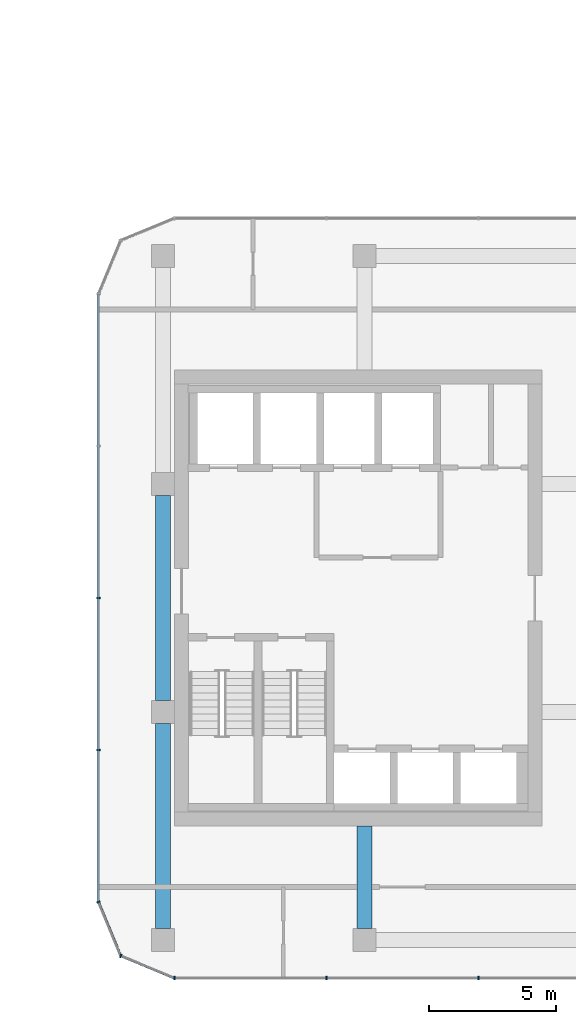
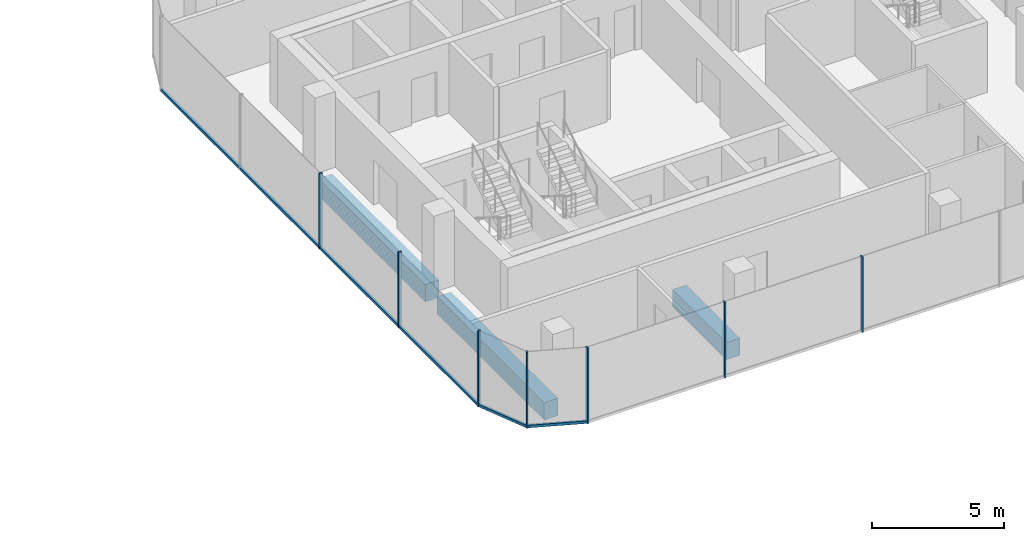
# One storey, part 7 of 23: 10 members, 3 beams, 4 elements without a shape of their own.
"""IFC4 building model written with IfcOpenShell, lengths in metres."""

from ifc_helpers import new_model, si_unit, direction, frame, origin, origin_2d, place, context, subcontext, project, spatial, rectangle, extrude, material, layer, layer_set, material_profile, profile_set, type_object, element, aggregate, save


model = new_model("IFC4")

# Units and contexts
model_context = context("Model", 3, precision=1e-05, world=origin(), true_north=direction((0.0, 1.0)))
body_context = subcontext(model_context, "Body", "Model", "MODEL_VIEW")
ifc_project = project(units=[si_unit("LENGTHUNIT", "METRE"), si_unit("AREAUNIT", "SQUARE_METRE"), si_unit("VOLUMEUNIT", "CUBIC_METRE"), si_unit("PLANEANGLEUNIT", "RADIAN"), si_unit("MASSUNIT", "GRAM", prefix="KILO")], contexts=[model_context])

# Site, building, storey
site_placement = place(None, origin())
site = spatial("IfcSite", under=ifc_project, at=site_placement, CompositionType="ELEMENT")
building_placement = place(site_placement, origin())
building = spatial("IfcBuilding", under=site, at=building_placement, Name="Plateau Cross Towers", CompositionType="ELEMENT")
storey_placement = place(building_placement, frame((0.0, 0.0, 33.800048828125)))
storey = spatial("IfcBuildingStorey", under=building, at=storey_placement, Name="L07", CompositionType="ELEMENT", Elevation=33.800048828125)

# Beam
ifc_material_1 = material(Name="Concrete C60/75", Category="concrete")
ifc_material_profile_1 = material_profile(ifc_material_1, rectangle(XDim=0.60009765625, YDim=0.800048828125, at=origin_2d()), Name="RC 600x800")
ifc_profile_set_1 = profile_set([ifc_material_profile_1], Name="Concrete C60/75")
beam_type_1 = type_object("IfcBeamType", Name="Core beam RC 600x800", PredefinedType="BEAM", material=ifc_profile_set_1)
beam_placement = place(storey_placement, frame((82.5, 0.0, -0.650146484375), z_axis=(0.0, -1.0, 0.0), x_axis=(1.0, 0.0, 0.0)))
element("IfcBeam", 1, at=beam_placement, inside=storey, type_object=beam_type_1, Name="B-CB01@L07", PredefinedType="BEAM", context=body_context, shape_type="SweptSolid", body=[
    extrude(rectangle(XDim=0.60009765625, YDim=0.800048828125, at=origin_2d()), origin(), (0.0, 0.0, 1.0), 4.050048828125),
])

# Curtain wall, members
ifc_material_2 = material(Name="Dark low-iron glass", Category="glass")
ifc_layer = layer(ifc_material_2, 0.239990234375)
ifc_layer_set = layer_set([ifc_layer], Name="Dark low-iron glass")
curtain_wall_type = type_object("IfcCurtainWallType", Name="Curtain wall office unitised CW-F", PredefinedType="NOTDEFINED", material=ifc_layer_set)
curtain_wall_1_placement = place(storey_placement, origin())
curtain_wall_1 = element("IfcCurtainWall", 2, at=curtain_wall_1_placement, inside=storey, type_object=curtain_wall_type, Name="ENV/B/L07/B750_-60", PredefinedType="NOTDEFINED")
ifc_material_3 = material(Name="Black anodised aluminium", Category="aluminium")
ifc_material_profile_2 = material_profile(ifc_material_3, rectangle(XDim=0.06005859375, YDim=0.139892578125, at=origin_2d()), Name="MULLION 60x140")
ifc_profile_set_2 = profile_set([ifc_material_profile_2], Name="Black anodised aluminium")
member_type_1 = type_object("IfcMemberType", Name="Mullion 60x140 office unitised", PredefinedType="MULLION", material=ifc_profile_set_2)
member_1_placement = place(storey_placement, frame((75.0, -6.0, -0.25), z_axis=(0.0, 0.0, 1.0), x_axis=(1.0, 0.0, 0.0)))
member_1 = element("IfcMember", 3, at=member_1_placement, type_object=member_type_1, Name="CW-F mullion 1", PredefinedType="MULLION", context=body_context, shape_type="SweptSolid", body=[
    extrude(rectangle(XDim=0.06005859375, YDim=0.139892578125, at=origin_2d()), origin(), (0.0, 0.0, 1.0), 3.5),
])
member_2_placement = place(storey_placement, frame((81.0, -6.0, -0.25), z_axis=(0.0, 0.0, 1.0), x_axis=(1.0, 0.0, 0.0)))
member_2 = element("IfcMember", 4, at=member_2_placement, type_object=member_type_1, Name="CW-F mullion 2", PredefinedType="MULLION", context=body_context, shape_type="SweptSolid", body=[
    extrude(rectangle(XDim=0.06005859375, YDim=0.139892578125, at=origin_2d()), origin(), (0.0, 0.0, 1.0), 3.5),
])
member_3_placement = place(storey_placement, frame((87.0, -6.0, -0.25), z_axis=(0.0, 0.0, 1.0), x_axis=(1.0, 0.0, 0.0)))
member_3 = element("IfcMember", 5, at=member_3_placement, type_object=member_type_1, Name="CW-F mullion 3", PredefinedType="MULLION", context=body_context, shape_type="SweptSolid", body=[
    extrude(rectangle(XDim=0.06005859375, YDim=0.139892578125, at=origin_2d()), origin(), (0.0, 0.0, 1.0), 3.5),
])
aggregate(curtain_wall_1, [member_1, member_2, member_3])

curtain_wall_2_placement = place(storey_placement, origin())
curtain_wall_2 = element("IfcCurtainWall", 6, at=curtain_wall_2_placement, inside=storey, type_object=curtain_wall_type, Name="ENV/B/L07/B720_210", PredefinedType="NOTDEFINED")
member_4_placement = place(storey_placement, frame((72.0, 9.0, -0.25), z_axis=(0.0, 0.0, 1.0), x_axis=(0.0, -1.0, 0.0)))
member_4 = element("IfcMember", 7, at=member_4_placement, type_object=member_type_1, Name="CW-F mullion 3", PredefinedType="MULLION", context=body_context, shape_type="SweptSolid", body=[
    extrude(rectangle(XDim=0.06005859375, YDim=0.139892578125, at=origin_2d()), origin(), (0.0, 0.0, 1.0), 3.5),
])
member_5_placement = place(storey_placement, frame((72.0, 3.0, -0.25), z_axis=(0.0, 0.0, 1.0), x_axis=(0.0, -1.0, 0.0)))
member_5 = element("IfcMember", 8, at=member_5_placement, type_object=member_type_1, Name="CW-F mullion 4", PredefinedType="MULLION", context=body_context, shape_type="SweptSolid", body=[
    extrude(rectangle(XDim=0.06005859375, YDim=0.139892578125, at=origin_2d()), origin(), (0.0, 0.0, 1.0), 3.5),
])

# Curtain wall, member
curtain_wall_3_placement = place(storey_placement, origin())
curtain_wall_3 = element("IfcCurtainWall", 9, at=curtain_wall_3_placement, inside=storey, type_object=curtain_wall_type, Name="ENV/B/L07/B720_-30", PredefinedType="NOTDEFINED")
member_6_placement = place(storey_placement, frame((72.0, -3.0, -0.25), z_axis=(0.0, 0.0, 1.0), x_axis=(0.382683612978, -0.923879457699, 0.0)))
member_6 = element("IfcMember", 10, at=member_6_placement, type_object=member_type_1, Name="CW-F mullion 1", PredefinedType="MULLION", context=body_context, shape_type="SweptSolid", body=[
    extrude(rectangle(XDim=0.06005859375, YDim=0.139892578125, at=origin_2d()), origin(), (0.0, 0.0, 1.0), 3.5),
])

curtain_wall_4_placement = place(storey_placement, origin())
curtain_wall_4 = element("IfcCurtainWall", 11, at=curtain_wall_4_placement, inside=storey, type_object=curtain_wall_type, Name="ENV/B/L07/B729_-51", PredefinedType="NOTDEFINED")
member_7_placement = place(storey_placement, frame((72.878662109375, -5.121337890625, -0.25), z_axis=(0.0, 0.0, 1.0), x_axis=(0.923879457699, -0.382683612978, 0.0)))
member_7 = element("IfcMember", 12, at=member_7_placement, type_object=member_type_1, Name="CW-F mullion 1", PredefinedType="MULLION", context=body_context, shape_type="SweptSolid", body=[
    extrude(rectangle(XDim=0.06005859375, YDim=0.139892578125, at=origin_2d()), origin(), (0.0, 0.0, 1.0), 3.5),
])

# Beams
ifc_material_profile_3 = material_profile(ifc_material_1, rectangle(XDim=0.60009765625, YDim=0.800048828125, at=origin_2d()), Name="RC 600x800")
ifc_profile_set_3 = profile_set([ifc_material_profile_3], Name="Concrete C60/75")
beam_type_2 = type_object("IfcBeamType", Name="Ring beam RC 600x800", PredefinedType="BEAM", material=ifc_profile_set_3)
for number, where, z_axis, x_axis, name in (
    (13, (74.550048828125, 13.050048828125, -0.650146484375), (0.0, -1.0, 0.0), (1.0, 0.0, 0.0), "B-RB09@L07"),
    (14, (74.550048828125, 4.050048828125, -0.650146484375), (0.0, -1.0, 0.0), (1.0, 0.0, 0.0), "B-RB10@L07"),
):
    element("IfcBeam", number, at=place(storey_placement, frame(where, z_axis=z_axis, x_axis=x_axis)), inside=storey, type_object=beam_type_2, Name=name, PredefinedType="BEAM", context=body_context, shape_type="SweptSolid", body=[
        extrude(rectangle(XDim=0.60009765625, YDim=0.800048828125, at=origin_2d()), origin(), (0.0, 0.0, 1.0), 8.10009765625),
    ])

# Member
ifc_material_profile_4 = material_profile(ifc_material_3, rectangle(XDim=0.10009765625, YDim=0.1201171875, at=origin_2d()), Name="TRANSOM 100x120")
ifc_profile_set_4 = profile_set([ifc_material_profile_4], Name="Black anodised aluminium")
member_type_2 = type_object("IfcMemberType", Name="Transom 100x120 office unitised", PredefinedType="USERDEFINED", material=ifc_profile_set_4)
member_8_placement = place(storey_placement, frame((72.0, 21.0, -0.18994140625), z_axis=(0.0, -1.0, 0.0), x_axis=(1.0, 0.0, 0.0)))
member_8 = element("IfcMember", 15, at=member_8_placement, type_object=member_type_2, Name="CW-F transom", ObjectType="TRANSOM", PredefinedType="USERDEFINED", context=body_context, shape_type="SweptSolid", body=[
    extrude(rectangle(XDim=0.10009765625, YDim=0.1201171875, at=origin_2d()), origin(), (0.0, 0.0, 1.0), 24.0),
])

aggregate(curtain_wall_2, [member_4, member_5, member_8])

member_9_placement = place(storey_placement, frame((72.0, -3.0, -0.18994140625), z_axis=(0.382674207535, -0.923883353507, 0.0), x_axis=(0.923883353507, 0.382674207535, 0.0)))
member_9 = element("IfcMember", 16, at=member_9_placement, type_object=member_type_2, Name="CW-F transom", ObjectType="TRANSOM", PredefinedType="USERDEFINED", context=body_context, shape_type="SweptSolid", body=[
    extrude(rectangle(XDim=0.10009765625, YDim=0.1201171875, at=origin_2d()), origin(), (0.0, 0.0, 1.0), 2.296142578125),
])

aggregate(curtain_wall_3, [member_6, member_9])

member_10_placement = place(storey_placement, frame((72.878662109375, -5.121337890625, -0.18994140625), z_axis=(0.923883353507, -0.382674207535, 0.0), x_axis=(0.382674207535, 0.923883353507, 0.0)))
member_10 = element("IfcMember", 17, at=member_10_placement, type_object=member_type_2, Name="CW-F transom", ObjectType="TRANSOM", PredefinedType="USERDEFINED", context=body_context, shape_type="SweptSolid", body=[
    extrude(rectangle(XDim=0.10009765625, YDim=0.1201171875, at=origin_2d()), origin(), (0.0, 0.0, 1.0), 2.296142578125),
])

aggregate(curtain_wall_4, [member_7, member_10])

save(model, "model.ifc")
